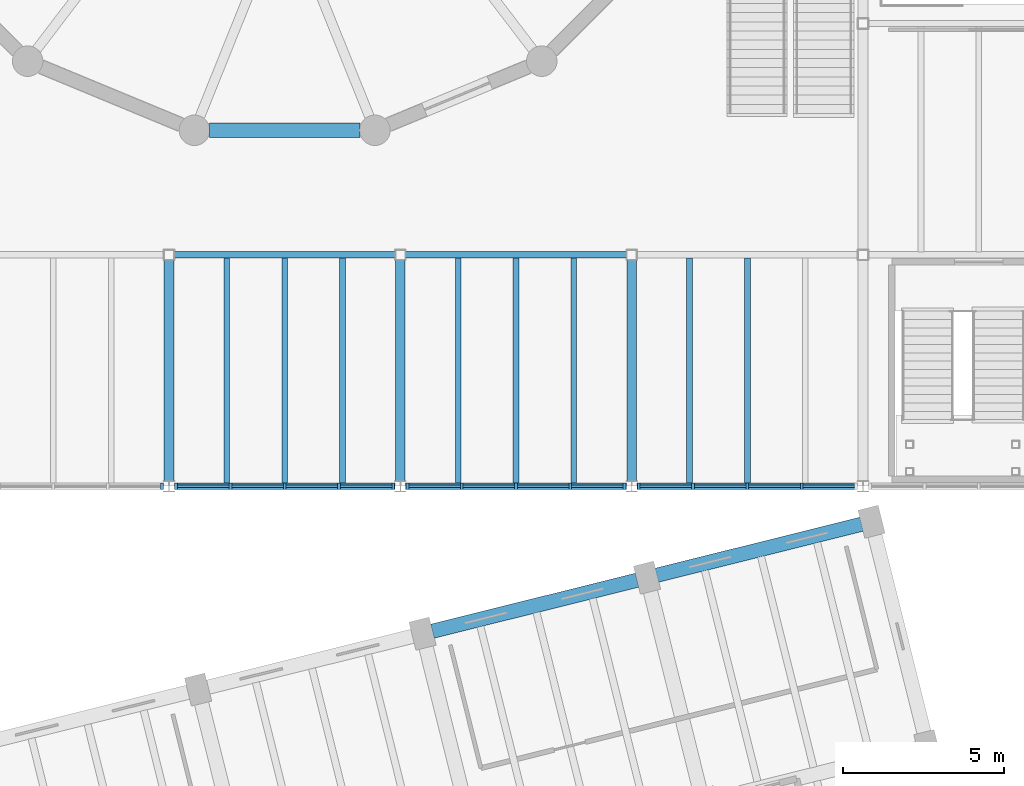
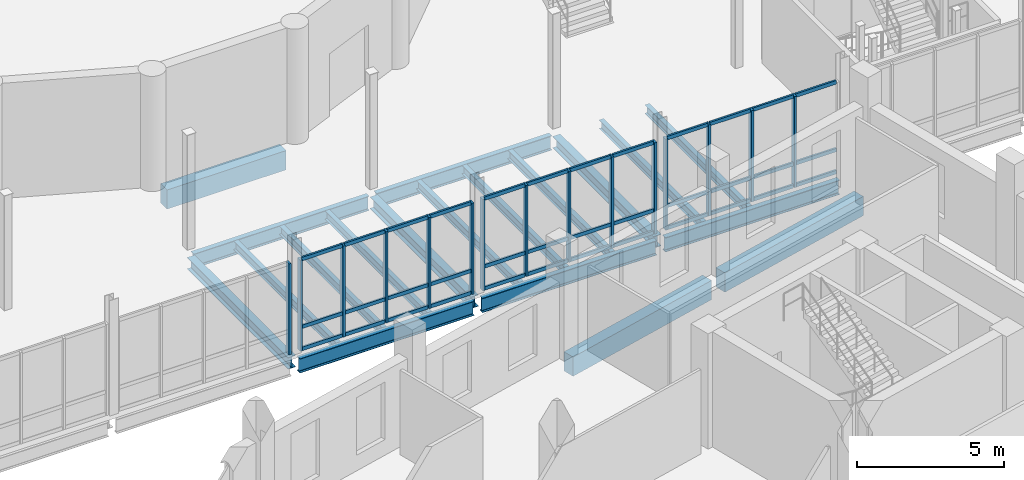
# One storey, part 25 of 77: 51 members, 19 beams, 4 elements without a shape of their own.
"""IFC4 building model written with IfcOpenShell, lengths in metres."""

from ifc_helpers import new_model, si_unit, direction, frame, origin, origin_2d, place, context, subcontext, project, spatial, rectangle, i_section, extrude, material, material_profile, profile_set, type_object, element, aggregate, save


model = new_model("IFC4")

# Units and contexts
model_context = context("Model", 3, precision=1e-05, world=origin(), true_north=direction((0.0, 1.0)))
body_context = subcontext(model_context, "Body", "Model", "MODEL_VIEW")
ifc_project = project(units=[si_unit("LENGTHUNIT", "METRE"), si_unit("AREAUNIT", "SQUARE_METRE"), si_unit("VOLUMEUNIT", "CUBIC_METRE"), si_unit("PLANEANGLEUNIT", "RADIAN"), si_unit("MASSUNIT", "GRAM", prefix="KILO")], contexts=[model_context])

# Site, building, storey
site_placement = place(None, origin())
site = spatial("IfcSite", under=ifc_project, at=site_placement, CompositionType="ELEMENT")
building_placement = place(site_placement, origin())
building = spatial("IfcBuilding", under=site, at=building_placement, Name="Qiaolan Assembly House", CompositionType="ELEMENT")
storey_placement = place(building_placement, frame((0.0, 0.0, 5.39990234375)))
storey = spatial("IfcBuildingStorey", under=building, at=storey_placement, Name="L01", CompositionType="ELEMENT", Elevation=5.39990234375)

# Beams
ifc_material_1 = material(Name="Concrete C40/50", Category="concrete")
ifc_material_profile_1 = material_profile(ifc_material_1, rectangle(XDim=0.449951171875, YDim=0.800048828125, at=origin_2d()), Name="RCB 450x800")
ifc_profile_set_1 = profile_set([ifc_material_profile_1], Name="Concrete C40/50")
beam_type_1 = type_object("IfcBeamType", Name="BM-RC-450x800", PredefinedType="BEAM", material=ifc_profile_set_1)
beam_1_placement = place(storey_placement, frame((72.996826171875, 31.485595703125, -0.64990234375), z_axis=(0.970299675821, 0.241906054289, 0.0), x_axis=(-0.241906054289, 0.970299675821, 0.0)))
element("IfcBeam", 1, at=beam_1_placement, inside=storey, type_object=beam_type_1, Name="GB-03 beam BMU-SE-L01-06-03", PredefinedType="BEAM", context=body_context, shape_type="SweptSolid", body=[
    extrude(rectangle(XDim=0.449951171875, YDim=0.800048828125, at=origin_2d()), origin(), (0.0, 0.0, 1.0), 6.570068359375),
])
beam_2_placement = place(storey_placement, frame((79.983154296875, 33.2275390625, -0.64990234375), z_axis=(0.970297501204, 0.24191477664, 0.0), x_axis=(-0.24191477664, 0.970297501204, 0.0)))
element("IfcBeam", 2, at=beam_2_placement, inside=storey, type_object=beam_type_1, Name="GB-03 beam BMU-SE-L01-07-03", PredefinedType="BEAM", context=body_context, shape_type="SweptSolid", body=[
    extrude(rectangle(XDim=0.449951171875, YDim=0.800048828125, at=origin_2d()), origin(), (0.0, 0.0, 1.0), 6.56982421875),
])
beam_3_placement = place(storey_placement, frame((66.0556640625, 47.07666015625, -0.68994140625), z_axis=(1.0, 0.0, 0.0), x_axis=(0.0, 1.0, 0.0)))
element("IfcBeam", 3, at=beam_3_placement, inside=storey, type_object=beam_type_1, Name="GB-03 beam BM-DRUM-L01-11", PredefinedType="BEAM", context=body_context, shape_type="SweptSolid", body=[
    extrude(rectangle(XDim=0.449951171875, YDim=0.800048828125, at=origin_2d()), origin(), (0.0, 0.0, 1.0), 4.688720703125),
])
ifc_material_2 = material(Name="Steel Q355B", Category="steel")
ifc_material_profile_2 = material_profile(ifc_material_2, i_section(OverallWidth=0.300048828125, OverallDepth=0.488037109375, WebThickness=0.010986328125, FlangeThickness=0.01806640625, FilletRadius=0.02001953125, at=origin_2d()), Name="HM 488x300x11x18")
ifc_profile_set_2 = profile_set([ifc_material_profile_2], Name="Steel Q355B")
beam_type_2 = type_object("IfcBeamType", Name="BM-STL-HM488", PredefinedType="BEAM", material=ifc_profile_set_2)
for number, where, z_axis, x_axis, name in (
    (4, (64.800048828125, 36.1650390625, -0.5439453125), (0.0, 1.0, 0.0), (-1.0, 0.0, 0.0), "SB-04 beam BMY-HL-L01-06-00"),
    (5, (72.0, 36.1650390625, -0.5439453125), (0.0, 1.0, 0.0), (-1.0, 0.0, 0.0), "SB-04 beam BMY-HL-L01-07-00"),
    (6, (79.199951171875, 36.1650390625, -0.5439453125), (0.0, 1.0, 0.0), (-1.0, 0.0, 0.0), "SB-04 beam BMY-HL-L01-08-00"),
):
    element("IfcBeam", number, at=place(storey_placement, frame(where, z_axis=z_axis, x_axis=x_axis)), inside=storey, type_object=beam_type_2, Name=name, PredefinedType="BEAM", context=body_context, shape_type="SweptSolid", body=[
        extrude(i_section(OverallWidth=0.300048828125, OverallDepth=0.488037109375, WebThickness=0.010986328125, FlangeThickness=0.01806640625, FilletRadius=0.02001953125, at=origin_2d()), origin(), (0.0, 0.0, 1.0), 6.885009765625),
    ])
ifc_material_profile_3 = material_profile(ifc_material_2, i_section(OverallWidth=0.199951171875, OverallDepth=0.60009765625, WebThickness=0.010986328125, FlangeThickness=0.01708984375, FilletRadius=0.02001953125, at=origin_2d()), Name="HN 600x200x11x17")
ifc_profile_set_3 = profile_set([ifc_material_profile_3], Name="Steel Q355B")
beam_type_3 = type_object("IfcBeamType", Name="BM-STL-HN600", PredefinedType="BEAM", material=ifc_profile_set_3)
for number, where, z_axis, x_axis, name in (
    (7, (64.965087890625, 36.0, -0.599853515625), (1.0, 0.0, 0.0), (0.0, 1.0, 0.0), "SB-03 beam BMX-HL-L01-06-00"),
    (8, (72.1650390625, 36.0, -0.599853515625), (1.0, 0.0, 0.0), (0.0, 1.0, 0.0), "SB-03 beam BMX-HL-L01-07-00"),
):
    element("IfcBeam", number, at=place(storey_placement, frame(where, z_axis=z_axis, x_axis=x_axis)), inside=storey, type_object=beam_type_3, Name=name, PredefinedType="BEAM", context=body_context, shape_type="SweptSolid", body=[
        extrude(i_section(OverallWidth=0.199951171875, OverallDepth=0.60009765625, WebThickness=0.010986328125, FlangeThickness=0.01708984375, FilletRadius=0.02001953125, at=origin_2d()), origin(), (0.0, 0.0, 1.0), 6.869873046875),
    ])
beam_4_placement = place(storey_placement, frame((79.364990234375, 36.0, -0.599853515625), z_axis=(1.0, 0.0, 0.0), x_axis=(0.0, 1.0, 0.0)))
element("IfcBeam", 9, at=beam_4_placement, inside=storey, type_object=beam_type_3, Name="SB-03 beam BMX-HL-L01-08-00", PredefinedType="BEAM", context=body_context, shape_type="SweptSolid", body=[
    extrude(i_section(OverallWidth=0.199951171875, OverallDepth=0.60009765625, WebThickness=0.010986328125, FlangeThickness=0.01708984375, FilletRadius=0.02001953125, at=origin_2d()), origin(), (0.0, 0.0, 1.0), 6.8701171875),
])
for number, where, z_axis, x_axis, name in (
    (10, (64.949951171875, 43.199951171875, -0.599853515625), (1.0, 0.0, 0.0), (0.0, 1.0, 0.0), "SB-03 beam BMX-HL-L01-06-01"),
    (11, (72.14990234375, 43.199951171875, -0.599853515625), (1.0, 0.0, 0.0), (0.0, 1.0, 0.0), "SB-03 beam BMX-HL-L01-07-01"),
):
    element("IfcBeam", number, at=place(storey_placement, frame(where, z_axis=z_axis, x_axis=x_axis)), inside=storey, type_object=beam_type_3, Name=name, PredefinedType="BEAM", context=body_context, shape_type="SweptSolid", body=[
        extrude(i_section(OverallWidth=0.199951171875, OverallDepth=0.60009765625, WebThickness=0.010986328125, FlangeThickness=0.01708984375, FilletRadius=0.02001953125, at=origin_2d()), origin(), (0.0, 0.0, 1.0), 6.900146484375),
    ])

# Curtain wall, member
ifc_material_3 = material(Name="Anodised bronze aluminium", Category="aluminium")
curtain_wall_type = type_object("IfcCurtainWallType", Name="CW-HALL-UPPER-480", PredefinedType="NOTDEFINED", material=ifc_material_3)
curtain_wall_1_placement = place(storey_placement, origin())
curtain_wall_1 = element("IfcCurtainWall", 12, at=curtain_wall_1_placement, inside=storey, type_object=curtain_wall_type, Name="CW-01 Hall South plaza curtain wall L01-5", PredefinedType="NOTDEFINED")
ifc_material_profile_4 = material_profile(ifc_material_3, rectangle(XDim=0.0859375, YDim=0.199951171875, at=origin_2d()), Name="MUL 86x200")
ifc_profile_set_4 = profile_set([ifc_material_profile_4], Name="Anodised bronze aluminium")
member_type_1 = type_object("IfcMemberType", Name="CW-HALL-UPPER-480-MUL", PredefinedType="MULLION", material=ifc_profile_set_4)
member_1_placement = place(storey_placement, frame((64.580078125, 36.0, 0.0), z_axis=(0.0, 0.0, 1.0), x_axis=(1.0, 0.0, 0.0)))
member_1 = element("IfcMember", 13, at=member_1_placement, type_object=member_type_1, Name="ML-02 mullion CW-HALL-S-L01-04-5", PredefinedType="MULLION", context=body_context, shape_type="SweptSolid", body=[
    extrude(rectangle(XDim=0.0859375, YDim=0.199951171875, at=origin_2d()), origin(), (0.0, 0.0, 1.0), 3.800048828125),
])
aggregate(curtain_wall_1, [member_1])

# Curtain wall, members
curtain_wall_2_placement = place(storey_placement, origin())
curtain_wall_2 = element("IfcCurtainWall", 14, at=curtain_wall_2_placement, inside=storey, type_object=curtain_wall_type, Name="CW-01 Hall South plaza curtain wall L01-6", PredefinedType="NOTDEFINED")
member_2_placement = place(storey_placement, frame((65.02001953125, 36.0, 0.0), z_axis=(0.0, 0.0, 1.0), x_axis=(1.0, 0.0, 0.0)))
member_2 = element("IfcMember", 15, at=member_2_placement, type_object=member_type_1, Name="ML-02 mullion CW-HALL-S-L01-05-1", PredefinedType="MULLION", context=body_context, shape_type="SweptSolid", body=[
    extrude(rectangle(XDim=0.0859375, YDim=0.199951171875, at=origin_2d()), origin(), (0.0, 0.0, 1.0), 3.800048828125),
])
member_3_placement = place(storey_placement, frame((66.7099609375, 36.0, 0.0), z_axis=(0.0, 0.0, 1.0), x_axis=(1.0, 0.0, 0.0)))
member_3 = element("IfcMember", 16, at=member_3_placement, type_object=member_type_1, Name="ML-02 mullion CW-HALL-S-L01-05-2", PredefinedType="MULLION", context=body_context, shape_type="SweptSolid", body=[
    extrude(rectangle(XDim=0.0859375, YDim=0.199951171875, at=origin_2d()), origin(), (0.0, 0.0, 1.0), 3.800048828125),
])
member_4_placement = place(storey_placement, frame((68.39990234375, 36.0, 0.0), z_axis=(0.0, 0.0, 1.0), x_axis=(1.0, 0.0, 0.0)))
member_4 = element("IfcMember", 17, at=member_4_placement, type_object=member_type_1, Name="ML-02 mullion CW-HALL-S-L01-05-3", PredefinedType="MULLION", context=body_context, shape_type="SweptSolid", body=[
    extrude(rectangle(XDim=0.0859375, YDim=0.199951171875, at=origin_2d()), origin(), (0.0, 0.0, 1.0), 3.800048828125),
])
member_5_placement = place(storey_placement, frame((70.090087890625, 36.0, 0.0), z_axis=(0.0, 0.0, 1.0), x_axis=(1.0, 0.0, 0.0)))
member_5 = element("IfcMember", 18, at=member_5_placement, type_object=member_type_1, Name="ML-02 mullion CW-HALL-S-L01-05-4", PredefinedType="MULLION", context=body_context, shape_type="SweptSolid", body=[
    extrude(rectangle(XDim=0.0859375, YDim=0.199951171875, at=origin_2d()), origin(), (0.0, 0.0, 1.0), 3.800048828125),
])
member_6_placement = place(storey_placement, frame((71.780029296875, 36.0, 0.0), z_axis=(0.0, 0.0, 1.0), x_axis=(1.0, 0.0, 0.0)))
member_6 = element("IfcMember", 19, at=member_6_placement, type_object=member_type_1, Name="ML-02 mullion CW-HALL-S-L01-05-5", PredefinedType="MULLION", context=body_context, shape_type="SweptSolid", body=[
    extrude(rectangle(XDim=0.0859375, YDim=0.199951171875, at=origin_2d()), origin(), (0.0, 0.0, 1.0), 3.800048828125),
])

curtain_wall_3_placement = place(storey_placement, origin())
curtain_wall_3 = element("IfcCurtainWall", 20, at=curtain_wall_3_placement, inside=storey, type_object=curtain_wall_type, Name="CW-01 Hall South plaza curtain wall L01-7", PredefinedType="NOTDEFINED")
member_7_placement = place(storey_placement, frame((72.219970703125, 36.0, 0.0), z_axis=(0.0, 0.0, 1.0), x_axis=(1.0, 0.0, 0.0)))
member_7 = element("IfcMember", 21, at=member_7_placement, type_object=member_type_1, Name="ML-02 mullion CW-HALL-S-L01-06-1", PredefinedType="MULLION", context=body_context, shape_type="SweptSolid", body=[
    extrude(rectangle(XDim=0.0859375, YDim=0.199951171875, at=origin_2d()), origin(), (0.0, 0.0, 1.0), 3.800048828125),
])
member_8_placement = place(storey_placement, frame((73.909912109375, 36.0, 0.0), z_axis=(0.0, 0.0, 1.0), x_axis=(1.0, 0.0, 0.0)))
member_8 = element("IfcMember", 22, at=member_8_placement, type_object=member_type_1, Name="ML-02 mullion CW-HALL-S-L01-06-2", PredefinedType="MULLION", context=body_context, shape_type="SweptSolid", body=[
    extrude(rectangle(XDim=0.0859375, YDim=0.199951171875, at=origin_2d()), origin(), (0.0, 0.0, 1.0), 3.800048828125),
])
member_9_placement = place(storey_placement, frame((75.60009765625, 36.0, 0.0), z_axis=(0.0, 0.0, 1.0), x_axis=(1.0, 0.0, 0.0)))
member_9 = element("IfcMember", 23, at=member_9_placement, type_object=member_type_1, Name="ML-02 mullion CW-HALL-S-L01-06-3", PredefinedType="MULLION", context=body_context, shape_type="SweptSolid", body=[
    extrude(rectangle(XDim=0.0859375, YDim=0.199951171875, at=origin_2d()), origin(), (0.0, 0.0, 1.0), 3.800048828125),
])
member_10_placement = place(storey_placement, frame((77.2900390625, 36.0, 0.0), z_axis=(0.0, 0.0, 1.0), x_axis=(1.0, 0.0, 0.0)))
member_10 = element("IfcMember", 24, at=member_10_placement, type_object=member_type_1, Name="ML-02 mullion CW-HALL-S-L01-06-4", PredefinedType="MULLION", context=body_context, shape_type="SweptSolid", body=[
    extrude(rectangle(XDim=0.0859375, YDim=0.199951171875, at=origin_2d()), origin(), (0.0, 0.0, 1.0), 3.800048828125),
])
member_11_placement = place(storey_placement, frame((78.97998046875, 36.0, 0.0), z_axis=(0.0, 0.0, 1.0), x_axis=(1.0, 0.0, 0.0)))
member_11 = element("IfcMember", 25, at=member_11_placement, type_object=member_type_1, Name="ML-02 mullion CW-HALL-S-L01-06-5", PredefinedType="MULLION", context=body_context, shape_type="SweptSolid", body=[
    extrude(rectangle(XDim=0.0859375, YDim=0.199951171875, at=origin_2d()), origin(), (0.0, 0.0, 1.0), 3.800048828125),
])

curtain_wall_4_placement = place(storey_placement, origin())
curtain_wall_4 = element("IfcCurtainWall", 26, at=curtain_wall_4_placement, inside=storey, type_object=curtain_wall_type, Name="CW-01 Hall South plaza curtain wall L01-8", PredefinedType="NOTDEFINED")
member_12_placement = place(storey_placement, frame((79.419921875, 36.0, 0.0), z_axis=(0.0, 0.0, 1.0), x_axis=(1.0, 0.0, 0.0)))
member_12 = element("IfcMember", 27, at=member_12_placement, type_object=member_type_1, Name="ML-02 mullion CW-HALL-S-L01-07-1", PredefinedType="MULLION", context=body_context, shape_type="SweptSolid", body=[
    extrude(rectangle(XDim=0.0859375, YDim=0.199951171875, at=origin_2d()), origin(), (0.0, 0.0, 1.0), 3.800048828125),
])
member_13_placement = place(storey_placement, frame((81.110107421875, 36.0, 0.0), z_axis=(0.0, 0.0, 1.0), x_axis=(1.0, 0.0, 0.0)))
member_13 = element("IfcMember", 28, at=member_13_placement, type_object=member_type_1, Name="ML-02 mullion CW-HALL-S-L01-07-2", PredefinedType="MULLION", context=body_context, shape_type="SweptSolid", body=[
    extrude(rectangle(XDim=0.0859375, YDim=0.199951171875, at=origin_2d()), origin(), (0.0, 0.0, 1.0), 3.800048828125),
])
member_14_placement = place(storey_placement, frame((82.800048828125, 36.0, 0.0), z_axis=(0.0, 0.0, 1.0), x_axis=(1.0, 0.0, 0.0)))
member_14 = element("IfcMember", 29, at=member_14_placement, type_object=member_type_1, Name="ML-02 mullion CW-HALL-S-L01-07-3", PredefinedType="MULLION", context=body_context, shape_type="SweptSolid", body=[
    extrude(rectangle(XDim=0.0859375, YDim=0.199951171875, at=origin_2d()), origin(), (0.0, 0.0, 1.0), 3.800048828125),
])
member_15_placement = place(storey_placement, frame((84.489990234375, 36.0, 0.0), z_axis=(0.0, 0.0, 1.0), x_axis=(1.0, 0.0, 0.0)))
member_15 = element("IfcMember", 30, at=member_15_placement, type_object=member_type_1, Name="ML-02 mullion CW-HALL-S-L01-07-4", PredefinedType="MULLION", context=body_context, shape_type="SweptSolid", body=[
    extrude(rectangle(XDim=0.0859375, YDim=0.199951171875, at=origin_2d()), origin(), (0.0, 0.0, 1.0), 3.800048828125),
])

# Member
ifc_material_profile_5 = material_profile(ifc_material_3, rectangle(XDim=0.075927734375, YDim=0.14990234375, at=origin_2d()), Name="TRN 76x150")
ifc_profile_set_5 = profile_set([ifc_material_profile_5], Name="Anodised bronze aluminium")
member_type_2 = type_object("IfcMemberType", Name="CW-HALL-UPPER-480-TRN", PredefinedType="USERDEFINED", material=ifc_profile_set_5)
member_16_placement = place(storey_placement, frame((65.06298828125, 36.0, 0.030029296875), z_axis=(1.0, 0.0, 0.0), x_axis=(0.0, 1.0, 0.0)))
member_16 = element("IfcMember", 31, at=member_16_placement, type_object=member_type_2, Name="TR-02 transom CW-HALL-S-L01-05-1-1", ObjectType="TRANSOM", PredefinedType="USERDEFINED", context=body_context, shape_type="SweptSolid", body=[
    extrude(rectangle(XDim=0.075927734375, YDim=0.14990234375, at=origin_2d()), origin(), (0.0, 0.0, 1.0), 1.60400390625),
])

member_17_placement = place(storey_placement, frame((65.06298828125, 36.0, 0.9501953125), z_axis=(1.0, 0.0, 0.0), x_axis=(0.0, 1.0, 0.0)))
member_17 = element("IfcMember", 32, at=member_17_placement, type_object=member_type_2, Name="TR-02 transom CW-HALL-S-L01-05-1-2", ObjectType="TRANSOM", PredefinedType="USERDEFINED", context=body_context, shape_type="SweptSolid", body=[
    extrude(rectangle(XDim=0.075927734375, YDim=0.14990234375, at=origin_2d()), origin(), (0.0, 0.0, 1.0), 1.60400390625),
])

member_18_placement = place(storey_placement, frame((65.06298828125, 36.0, 3.77001953125), z_axis=(1.0, 0.0, 0.0), x_axis=(0.0, 1.0, 0.0)))
member_18 = element("IfcMember", 33, at=member_18_placement, type_object=member_type_2, Name="TR-02 transom CW-HALL-S-L01-05-1-3", ObjectType="TRANSOM", PredefinedType="USERDEFINED", context=body_context, shape_type="SweptSolid", body=[
    extrude(rectangle(XDim=0.075927734375, YDim=0.14990234375, at=origin_2d()), origin(), (0.0, 0.0, 1.0), 1.60400390625),
])

member_19_placement = place(storey_placement, frame((66.7529296875, 36.0, 0.030029296875), z_axis=(1.0, 0.0, 0.0), x_axis=(0.0, 1.0, 0.0)))
member_19 = element("IfcMember", 34, at=member_19_placement, type_object=member_type_2, Name="TR-02 transom CW-HALL-S-L01-05-2-1", ObjectType="TRANSOM", PredefinedType="USERDEFINED", context=body_context, shape_type="SweptSolid", body=[
    extrude(rectangle(XDim=0.075927734375, YDim=0.14990234375, at=origin_2d()), origin(), (0.0, 0.0, 1.0), 1.60400390625),
])

member_20_placement = place(storey_placement, frame((66.7529296875, 36.0, 0.9501953125), z_axis=(1.0, 0.0, 0.0), x_axis=(0.0, 1.0, 0.0)))
member_20 = element("IfcMember", 35, at=member_20_placement, type_object=member_type_2, Name="TR-02 transom CW-HALL-S-L01-05-2-2", ObjectType="TRANSOM", PredefinedType="USERDEFINED", context=body_context, shape_type="SweptSolid", body=[
    extrude(rectangle(XDim=0.075927734375, YDim=0.14990234375, at=origin_2d()), origin(), (0.0, 0.0, 1.0), 1.60400390625),
])

member_21_placement = place(storey_placement, frame((66.7529296875, 36.0, 3.77001953125), z_axis=(1.0, 0.0, 0.0), x_axis=(0.0, 1.0, 0.0)))
member_21 = element("IfcMember", 36, at=member_21_placement, type_object=member_type_2, Name="TR-02 transom CW-HALL-S-L01-05-2-3", ObjectType="TRANSOM", PredefinedType="USERDEFINED", context=body_context, shape_type="SweptSolid", body=[
    extrude(rectangle(XDim=0.075927734375, YDim=0.14990234375, at=origin_2d()), origin(), (0.0, 0.0, 1.0), 1.60400390625),
])

member_22_placement = place(storey_placement, frame((68.443115234375, 36.0, 0.030029296875), z_axis=(1.0, 0.0, 0.0), x_axis=(0.0, 1.0, 0.0)))
member_22 = element("IfcMember", 37, at=member_22_placement, type_object=member_type_2, Name="TR-02 transom CW-HALL-S-L01-05-3-1", ObjectType="TRANSOM", PredefinedType="USERDEFINED", context=body_context, shape_type="SweptSolid", body=[
    extrude(rectangle(XDim=0.075927734375, YDim=0.14990234375, at=origin_2d()), origin(), (0.0, 0.0, 1.0), 1.60400390625),
])

member_23_placement = place(storey_placement, frame((68.443115234375, 36.0, 0.9501953125), z_axis=(1.0, 0.0, 0.0), x_axis=(0.0, 1.0, 0.0)))
member_23 = element("IfcMember", 38, at=member_23_placement, type_object=member_type_2, Name="TR-02 transom CW-HALL-S-L01-05-3-2", ObjectType="TRANSOM", PredefinedType="USERDEFINED", context=body_context, shape_type="SweptSolid", body=[
    extrude(rectangle(XDim=0.075927734375, YDim=0.14990234375, at=origin_2d()), origin(), (0.0, 0.0, 1.0), 1.60400390625),
])

member_24_placement = place(storey_placement, frame((68.443115234375, 36.0, 3.77001953125), z_axis=(1.0, 0.0, 0.0), x_axis=(0.0, 1.0, 0.0)))
member_24 = element("IfcMember", 39, at=member_24_placement, type_object=member_type_2, Name="TR-02 transom CW-HALL-S-L01-05-3-3", ObjectType="TRANSOM", PredefinedType="USERDEFINED", context=body_context, shape_type="SweptSolid", body=[
    extrude(rectangle(XDim=0.075927734375, YDim=0.14990234375, at=origin_2d()), origin(), (0.0, 0.0, 1.0), 1.60400390625),
])

member_25_placement = place(storey_placement, frame((70.133056640625, 36.0, 0.030029296875), z_axis=(1.0, 0.0, 0.0), x_axis=(0.0, 1.0, 0.0)))
member_25 = element("IfcMember", 40, at=member_25_placement, type_object=member_type_2, Name="TR-02 transom CW-HALL-S-L01-05-4-1", ObjectType="TRANSOM", PredefinedType="USERDEFINED", context=body_context, shape_type="SweptSolid", body=[
    extrude(rectangle(XDim=0.075927734375, YDim=0.14990234375, at=origin_2d()), origin(), (0.0, 0.0, 1.0), 1.60400390625),
])

member_26_placement = place(storey_placement, frame((70.133056640625, 36.0, 0.9501953125), z_axis=(1.0, 0.0, 0.0), x_axis=(0.0, 1.0, 0.0)))
member_26 = element("IfcMember", 41, at=member_26_placement, type_object=member_type_2, Name="TR-02 transom CW-HALL-S-L01-05-4-2", ObjectType="TRANSOM", PredefinedType="USERDEFINED", context=body_context, shape_type="SweptSolid", body=[
    extrude(rectangle(XDim=0.075927734375, YDim=0.14990234375, at=origin_2d()), origin(), (0.0, 0.0, 1.0), 1.60400390625),
])

member_27_placement = place(storey_placement, frame((70.133056640625, 36.0, 3.77001953125), z_axis=(1.0, 0.0, 0.0), x_axis=(0.0, 1.0, 0.0)))
member_27 = element("IfcMember", 42, at=member_27_placement, type_object=member_type_2, Name="TR-02 transom CW-HALL-S-L01-05-4-3", ObjectType="TRANSOM", PredefinedType="USERDEFINED", context=body_context, shape_type="SweptSolid", body=[
    extrude(rectangle(XDim=0.075927734375, YDim=0.14990234375, at=origin_2d()), origin(), (0.0, 0.0, 1.0), 1.60400390625),
])

aggregate(curtain_wall_2, [member_2, member_3, member_4, member_5, member_6, member_16, member_17, member_18, member_19, member_20, member_21, member_22, member_23, member_24, member_25, member_26, member_27])

member_28_placement = place(storey_placement, frame((72.262939453125, 36.0, 0.030029296875), z_axis=(1.0, 0.0, 0.0), x_axis=(0.0, 1.0, 0.0)))
member_28 = element("IfcMember", 43, at=member_28_placement, type_object=member_type_2, Name="TR-02 transom CW-HALL-S-L01-06-1-1", ObjectType="TRANSOM", PredefinedType="USERDEFINED", context=body_context, shape_type="SweptSolid", body=[
    extrude(rectangle(XDim=0.075927734375, YDim=0.14990234375, at=origin_2d()), origin(), (0.0, 0.0, 1.0), 1.60400390625),
])

member_29_placement = place(storey_placement, frame((72.262939453125, 36.0, 0.9501953125), z_axis=(1.0, 0.0, 0.0), x_axis=(0.0, 1.0, 0.0)))
member_29 = element("IfcMember", 44, at=member_29_placement, type_object=member_type_2, Name="TR-02 transom CW-HALL-S-L01-06-1-2", ObjectType="TRANSOM", PredefinedType="USERDEFINED", context=body_context, shape_type="SweptSolid", body=[
    extrude(rectangle(XDim=0.075927734375, YDim=0.14990234375, at=origin_2d()), origin(), (0.0, 0.0, 1.0), 1.60400390625),
])

member_30_placement = place(storey_placement, frame((72.262939453125, 36.0, 3.77001953125), z_axis=(1.0, 0.0, 0.0), x_axis=(0.0, 1.0, 0.0)))
member_30 = element("IfcMember", 45, at=member_30_placement, type_object=member_type_2, Name="TR-02 transom CW-HALL-S-L01-06-1-3", ObjectType="TRANSOM", PredefinedType="USERDEFINED", context=body_context, shape_type="SweptSolid", body=[
    extrude(rectangle(XDim=0.075927734375, YDim=0.14990234375, at=origin_2d()), origin(), (0.0, 0.0, 1.0), 1.60400390625),
])

member_31_placement = place(storey_placement, frame((73.952880859375, 36.0, 0.030029296875), z_axis=(1.0, 0.0, 0.0), x_axis=(0.0, 1.0, 0.0)))
member_31 = element("IfcMember", 46, at=member_31_placement, type_object=member_type_2, Name="TR-02 transom CW-HALL-S-L01-06-2-1", ObjectType="TRANSOM", PredefinedType="USERDEFINED", context=body_context, shape_type="SweptSolid", body=[
    extrude(rectangle(XDim=0.075927734375, YDim=0.14990234375, at=origin_2d()), origin(), (0.0, 0.0, 1.0), 1.60400390625),
])

member_32_placement = place(storey_placement, frame((73.952880859375, 36.0, 0.9501953125), z_axis=(1.0, 0.0, 0.0), x_axis=(0.0, 1.0, 0.0)))
member_32 = element("IfcMember", 47, at=member_32_placement, type_object=member_type_2, Name="TR-02 transom CW-HALL-S-L01-06-2-2", ObjectType="TRANSOM", PredefinedType="USERDEFINED", context=body_context, shape_type="SweptSolid", body=[
    extrude(rectangle(XDim=0.075927734375, YDim=0.14990234375, at=origin_2d()), origin(), (0.0, 0.0, 1.0), 1.60400390625),
])

member_33_placement = place(storey_placement, frame((73.952880859375, 36.0, 3.77001953125), z_axis=(1.0, 0.0, 0.0), x_axis=(0.0, 1.0, 0.0)))
member_33 = element("IfcMember", 48, at=member_33_placement, type_object=member_type_2, Name="TR-02 transom CW-HALL-S-L01-06-2-3", ObjectType="TRANSOM", PredefinedType="USERDEFINED", context=body_context, shape_type="SweptSolid", body=[
    extrude(rectangle(XDim=0.075927734375, YDim=0.14990234375, at=origin_2d()), origin(), (0.0, 0.0, 1.0), 1.60400390625),
])

member_34_placement = place(storey_placement, frame((75.64306640625, 36.0, 0.030029296875), z_axis=(1.0, 0.0, 0.0), x_axis=(0.0, 1.0, 0.0)))
member_34 = element("IfcMember", 49, at=member_34_placement, type_object=member_type_2, Name="TR-02 transom CW-HALL-S-L01-06-3-1", ObjectType="TRANSOM", PredefinedType="USERDEFINED", context=body_context, shape_type="SweptSolid", body=[
    extrude(rectangle(XDim=0.075927734375, YDim=0.14990234375, at=origin_2d()), origin(), (0.0, 0.0, 1.0), 1.60400390625),
])

member_35_placement = place(storey_placement, frame((75.64306640625, 36.0, 0.9501953125), z_axis=(1.0, 0.0, 0.0), x_axis=(0.0, 1.0, 0.0)))
member_35 = element("IfcMember", 50, at=member_35_placement, type_object=member_type_2, Name="TR-02 transom CW-HALL-S-L01-06-3-2", ObjectType="TRANSOM", PredefinedType="USERDEFINED", context=body_context, shape_type="SweptSolid", body=[
    extrude(rectangle(XDim=0.075927734375, YDim=0.14990234375, at=origin_2d()), origin(), (0.0, 0.0, 1.0), 1.60400390625),
])

member_36_placement = place(storey_placement, frame((75.64306640625, 36.0, 3.77001953125), z_axis=(1.0, 0.0, 0.0), x_axis=(0.0, 1.0, 0.0)))
member_36 = element("IfcMember", 51, at=member_36_placement, type_object=member_type_2, Name="TR-02 transom CW-HALL-S-L01-06-3-3", ObjectType="TRANSOM", PredefinedType="USERDEFINED", context=body_context, shape_type="SweptSolid", body=[
    extrude(rectangle(XDim=0.075927734375, YDim=0.14990234375, at=origin_2d()), origin(), (0.0, 0.0, 1.0), 1.60400390625),
])

member_37_placement = place(storey_placement, frame((77.3330078125, 36.0, 0.030029296875), z_axis=(1.0, 0.0, 0.0), x_axis=(0.0, 1.0, 0.0)))
member_37 = element("IfcMember", 52, at=member_37_placement, type_object=member_type_2, Name="TR-02 transom CW-HALL-S-L01-06-4-1", ObjectType="TRANSOM", PredefinedType="USERDEFINED", context=body_context, shape_type="SweptSolid", body=[
    extrude(rectangle(XDim=0.075927734375, YDim=0.14990234375, at=origin_2d()), origin(), (0.0, 0.0, 1.0), 1.60400390625),
])

member_38_placement = place(storey_placement, frame((77.3330078125, 36.0, 0.9501953125), z_axis=(1.0, 0.0, 0.0), x_axis=(0.0, 1.0, 0.0)))
member_38 = element("IfcMember", 53, at=member_38_placement, type_object=member_type_2, Name="TR-02 transom CW-HALL-S-L01-06-4-2", ObjectType="TRANSOM", PredefinedType="USERDEFINED", context=body_context, shape_type="SweptSolid", body=[
    extrude(rectangle(XDim=0.075927734375, YDim=0.14990234375, at=origin_2d()), origin(), (0.0, 0.0, 1.0), 1.60400390625),
])

member_39_placement = place(storey_placement, frame((77.3330078125, 36.0, 3.77001953125), z_axis=(1.0, 0.0, 0.0), x_axis=(0.0, 1.0, 0.0)))
member_39 = element("IfcMember", 54, at=member_39_placement, type_object=member_type_2, Name="TR-02 transom CW-HALL-S-L01-06-4-3", ObjectType="TRANSOM", PredefinedType="USERDEFINED", context=body_context, shape_type="SweptSolid", body=[
    extrude(rectangle(XDim=0.075927734375, YDim=0.14990234375, at=origin_2d()), origin(), (0.0, 0.0, 1.0), 1.60400390625),
])

aggregate(curtain_wall_3, [member_7, member_8, member_9, member_10, member_11, member_28, member_29, member_30, member_31, member_32, member_33, member_34, member_35, member_36, member_37, member_38, member_39])

member_40_placement = place(storey_placement, frame((79.462890625, 36.0, 0.030029296875), z_axis=(1.0, 0.0, 0.0), x_axis=(0.0, 1.0, 0.0)))
member_40 = element("IfcMember", 55, at=member_40_placement, type_object=member_type_2, Name="TR-02 transom CW-HALL-S-L01-07-1-1", ObjectType="TRANSOM", PredefinedType="USERDEFINED", context=body_context, shape_type="SweptSolid", body=[
    extrude(rectangle(XDim=0.075927734375, YDim=0.14990234375, at=origin_2d()), origin(), (0.0, 0.0, 1.0), 1.60400390625),
])

member_41_placement = place(storey_placement, frame((79.462890625, 36.0, 0.9501953125), z_axis=(1.0, 0.0, 0.0), x_axis=(0.0, 1.0, 0.0)))
member_41 = element("IfcMember", 56, at=member_41_placement, type_object=member_type_2, Name="TR-02 transom CW-HALL-S-L01-07-1-2", ObjectType="TRANSOM", PredefinedType="USERDEFINED", context=body_context, shape_type="SweptSolid", body=[
    extrude(rectangle(XDim=0.075927734375, YDim=0.14990234375, at=origin_2d()), origin(), (0.0, 0.0, 1.0), 1.60400390625),
])

member_42_placement = place(storey_placement, frame((79.462890625, 36.0, 3.77001953125), z_axis=(1.0, 0.0, 0.0), x_axis=(0.0, 1.0, 0.0)))
member_42 = element("IfcMember", 57, at=member_42_placement, type_object=member_type_2, Name="TR-02 transom CW-HALL-S-L01-07-1-3", ObjectType="TRANSOM", PredefinedType="USERDEFINED", context=body_context, shape_type="SweptSolid", body=[
    extrude(rectangle(XDim=0.075927734375, YDim=0.14990234375, at=origin_2d()), origin(), (0.0, 0.0, 1.0), 1.60400390625),
])

member_43_placement = place(storey_placement, frame((81.153076171875, 36.0, 0.030029296875), z_axis=(1.0, 0.0, 0.0), x_axis=(0.0, 1.0, 0.0)))
member_43 = element("IfcMember", 58, at=member_43_placement, type_object=member_type_2, Name="TR-02 transom CW-HALL-S-L01-07-2-1", ObjectType="TRANSOM", PredefinedType="USERDEFINED", context=body_context, shape_type="SweptSolid", body=[
    extrude(rectangle(XDim=0.075927734375, YDim=0.14990234375, at=origin_2d()), origin(), (0.0, 0.0, 1.0), 1.60400390625),
])

member_44_placement = place(storey_placement, frame((81.153076171875, 36.0, 0.9501953125), z_axis=(1.0, 0.0, 0.0), x_axis=(0.0, 1.0, 0.0)))
member_44 = element("IfcMember", 59, at=member_44_placement, type_object=member_type_2, Name="TR-02 transom CW-HALL-S-L01-07-2-2", ObjectType="TRANSOM", PredefinedType="USERDEFINED", context=body_context, shape_type="SweptSolid", body=[
    extrude(rectangle(XDim=0.075927734375, YDim=0.14990234375, at=origin_2d()), origin(), (0.0, 0.0, 1.0), 1.60400390625),
])

member_45_placement = place(storey_placement, frame((81.153076171875, 36.0, 3.77001953125), z_axis=(1.0, 0.0, 0.0), x_axis=(0.0, 1.0, 0.0)))
member_45 = element("IfcMember", 60, at=member_45_placement, type_object=member_type_2, Name="TR-02 transom CW-HALL-S-L01-07-2-3", ObjectType="TRANSOM", PredefinedType="USERDEFINED", context=body_context, shape_type="SweptSolid", body=[
    extrude(rectangle(XDim=0.075927734375, YDim=0.14990234375, at=origin_2d()), origin(), (0.0, 0.0, 1.0), 1.60400390625),
])

member_46_placement = place(storey_placement, frame((82.843017578125, 36.0, 0.030029296875), z_axis=(1.0, 0.0, 0.0), x_axis=(0.0, 1.0, 0.0)))
member_46 = element("IfcMember", 61, at=member_46_placement, type_object=member_type_2, Name="TR-02 transom CW-HALL-S-L01-07-3-1", ObjectType="TRANSOM", PredefinedType="USERDEFINED", context=body_context, shape_type="SweptSolid", body=[
    extrude(rectangle(XDim=0.075927734375, YDim=0.14990234375, at=origin_2d()), origin(), (0.0, 0.0, 1.0), 1.60400390625),
])

member_47_placement = place(storey_placement, frame((82.843017578125, 36.0, 0.9501953125), z_axis=(1.0, 0.0, 0.0), x_axis=(0.0, 1.0, 0.0)))
member_47 = element("IfcMember", 62, at=member_47_placement, type_object=member_type_2, Name="TR-02 transom CW-HALL-S-L01-07-3-2", ObjectType="TRANSOM", PredefinedType="USERDEFINED", context=body_context, shape_type="SweptSolid", body=[
    extrude(rectangle(XDim=0.075927734375, YDim=0.14990234375, at=origin_2d()), origin(), (0.0, 0.0, 1.0), 1.60400390625),
])

member_48_placement = place(storey_placement, frame((82.843017578125, 36.0, 3.77001953125), z_axis=(1.0, 0.0, 0.0), x_axis=(0.0, 1.0, 0.0)))
member_48 = element("IfcMember", 63, at=member_48_placement, type_object=member_type_2, Name="TR-02 transom CW-HALL-S-L01-07-3-3", ObjectType="TRANSOM", PredefinedType="USERDEFINED", context=body_context, shape_type="SweptSolid", body=[
    extrude(rectangle(XDim=0.075927734375, YDim=0.14990234375, at=origin_2d()), origin(), (0.0, 0.0, 1.0), 1.60400390625),
])

member_49_placement = place(storey_placement, frame((84.532958984375, 36.0, 0.030029296875), z_axis=(1.0, 0.0, 0.0), x_axis=(0.0, 1.0, 0.0)))
member_49 = element("IfcMember", 64, at=member_49_placement, type_object=member_type_2, Name="TR-02 transom CW-HALL-S-L01-07-4-1", ObjectType="TRANSOM", PredefinedType="USERDEFINED", context=body_context, shape_type="SweptSolid", body=[
    extrude(rectangle(XDim=0.075927734375, YDim=0.14990234375, at=origin_2d()), origin(), (0.0, 0.0, 1.0), 1.60400390625),
])

member_50_placement = place(storey_placement, frame((84.532958984375, 36.0, 0.9501953125), z_axis=(1.0, 0.0, 0.0), x_axis=(0.0, 1.0, 0.0)))
member_50 = element("IfcMember", 65, at=member_50_placement, type_object=member_type_2, Name="TR-02 transom CW-HALL-S-L01-07-4-2", ObjectType="TRANSOM", PredefinedType="USERDEFINED", context=body_context, shape_type="SweptSolid", body=[
    extrude(rectangle(XDim=0.075927734375, YDim=0.14990234375, at=origin_2d()), origin(), (0.0, 0.0, 1.0), 1.60400390625),
])

member_51_placement = place(storey_placement, frame((84.532958984375, 36.0, 3.77001953125), z_axis=(1.0, 0.0, 0.0), x_axis=(0.0, 1.0, 0.0)))
member_51 = element("IfcMember", 66, at=member_51_placement, type_object=member_type_2, Name="TR-02 transom CW-HALL-S-L01-07-4-3", ObjectType="TRANSOM", PredefinedType="USERDEFINED", context=body_context, shape_type="SweptSolid", body=[
    extrude(rectangle(XDim=0.075927734375, YDim=0.14990234375, at=origin_2d()), origin(), (0.0, 0.0, 1.0), 1.60400390625),
])

aggregate(curtain_wall_4, [member_12, member_13, member_14, member_15, member_40, member_41, member_42, member_43, member_44, member_45, member_46, member_47, member_48, member_49, member_50, member_51])

# Beams
ifc_material_profile_6 = material_profile(ifc_material_2, i_section(OverallWidth=0.179931640625, OverallDepth=0.360107421875, WebThickness=0.008056640625, FlangeThickness=0.011962890625, FilletRadius=0.013916015625, at=origin_2d()), Name="HN 360x180x8x12")
ifc_profile_set_6 = profile_set([ifc_material_profile_6], Name="Steel Q355B")
beam_type_4 = type_object("IfcBeamType", Name="JST-STL-HN360", PredefinedType="JOIST", material=ifc_profile_set_6)
for number, where, z_axis, x_axis, name in (
    (67, (66.60009765625, 36.093994140625, -0.47998046875), (0.0, 1.0, 0.0), (-1.0, 0.0, 0.0), "SJ-06 beam JST-HL-L01-06-00-1"),
    (68, (68.39990234375, 36.093994140625, -0.47998046875), (0.0, 1.0, 0.0), (-1.0, 0.0, 0.0), "SJ-06 beam JST-HL-L01-06-00-2"),
    (69, (70.199951171875, 36.093994140625, -0.47998046875), (0.0, 1.0, 0.0), (-1.0, 0.0, 0.0), "SJ-06 beam JST-HL-L01-06-00-3"),
    (70, (73.800048828125, 36.093994140625, -0.47998046875), (0.0, 1.0, 0.0), (-1.0, 0.0, 0.0), "SJ-06 beam JST-HL-L01-07-00-1"),
    (71, (75.60009765625, 36.093994140625, -0.47998046875), (0.0, 1.0, 0.0), (-1.0, 0.0, 0.0), "SJ-06 beam JST-HL-L01-07-00-2"),
    (72, (77.39990234375, 36.093994140625, -0.47998046875), (0.0, 1.0, 0.0), (-1.0, 0.0, 0.0), "SJ-06 beam JST-HL-L01-07-00-3"),
    (73, (81.0, 36.093994140625, -0.47998046875), (0.0, 1.0, 0.0), (-1.0, 0.0, 0.0), "SJ-06 beam JST-HL-L01-08-00-1"),
    (74, (82.800048828125, 36.093994140625, -0.47998046875), (0.0, 1.0, 0.0), (-1.0, 0.0, 0.0), "SJ-06 beam JST-HL-L01-08-00-2"),
):
    element("IfcBeam", number, at=place(storey_placement, frame(where, z_axis=z_axis, x_axis=x_axis)), inside=storey, type_object=beam_type_4, Name=name, PredefinedType="JOIST", context=body_context, shape_type="SweptSolid", body=[
        extrude(i_section(OverallWidth=0.179931640625, OverallDepth=0.360107421875, WebThickness=0.008056640625, FlangeThickness=0.011962890625, FilletRadius=0.013916015625, at=origin_2d()), origin(), (0.0, 0.0, 1.0), 7.011962890625),
    ])

save(model, "model.ifc")
